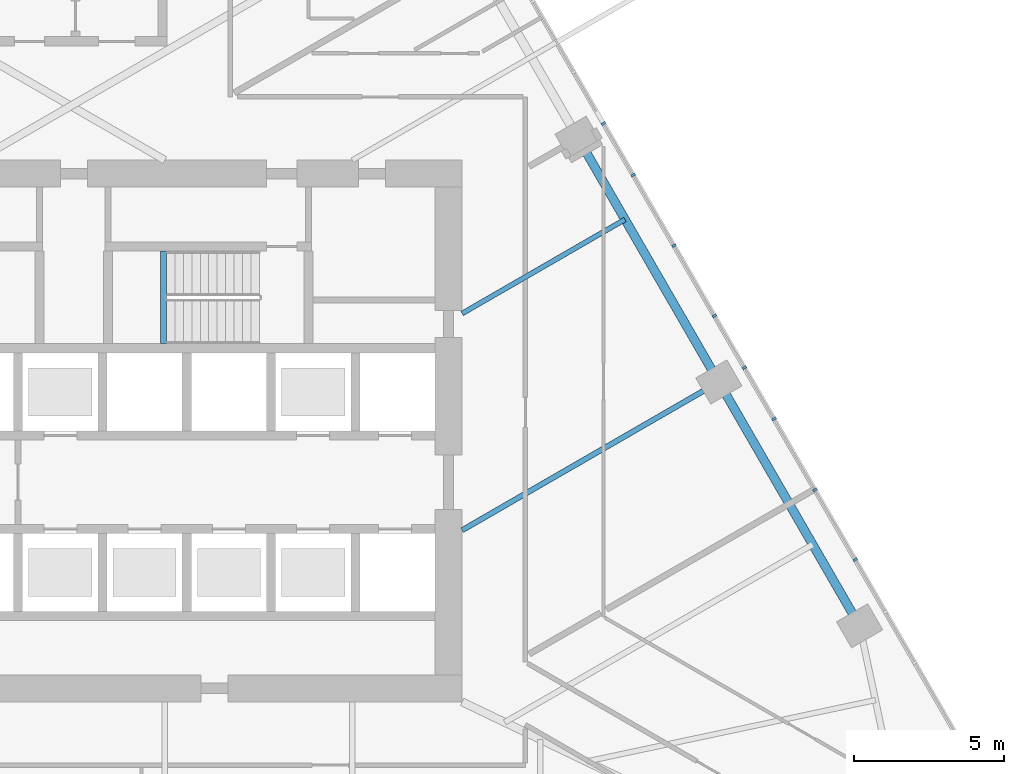
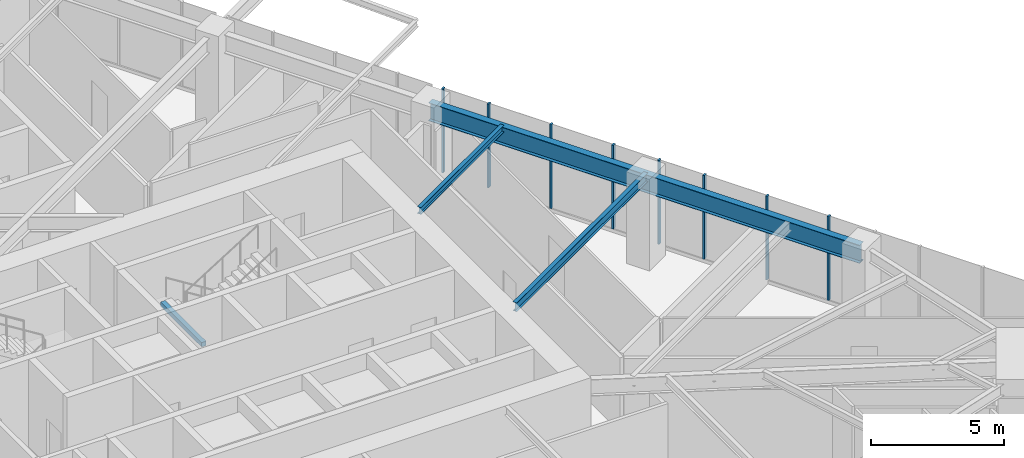
# One storey, part 7 of 22: 8 members, 4 beams, 1 element without a shape of its own.
"""IFC4 building model written with IfcOpenShell, lengths in metres."""

from ifc_helpers import new_model, si_unit, direction, frame, origin, origin_2d, place, context, subcontext, project, spatial, rectangle, i_section, extrude, material, layer, layer_set, material_profile, profile_set, type_object, element, aggregate, save


model = new_model("IFC4")

# Units and contexts
model_context = context("Model", 3, precision=1e-05, world=origin(), true_north=direction((0.0, 1.0)))
body_context = subcontext(model_context, "Body", "Model", "MODEL_VIEW")
ifc_project = project(units=[si_unit("LENGTHUNIT", "METRE"), si_unit("AREAUNIT", "SQUARE_METRE"), si_unit("VOLUMEUNIT", "CUBIC_METRE"), si_unit("PLANEANGLEUNIT", "RADIAN"), si_unit("MASSUNIT", "GRAM", prefix="KILO")], contexts=[model_context])

# Site, building, storey
site_placement = place(None, origin())
site = spatial("IfcSite", under=ifc_project, at=site_placement, CompositionType="ELEMENT")
building_placement = place(site_placement, origin())
building = spatial("IfcBuilding", under=site, at=building_placement, Name="Firuza Gate Tower and Library", CompositionType="ELEMENT")
storey_placement = place(building_placement, frame((0.0, 0.0, 111.39990234375)))
storey = spatial("IfcBuildingStorey", under=building, at=storey_placement, Name="L25", CompositionType="ELEMENT", Elevation=111.39990234375)

# Curtain wall, members
ifc_material_1 = material(Name="Aluminium 6063-T6", Category="aluminium")
ifc_layer = layer(ifc_material_1, 0.14990234375)
ifc_layer_set = layer_set([ifc_layer], Name="Unitised curtain wall, offices")
curtain_wall_type = type_object("IfcCurtainWallType", Name="Unitised curtain wall, offices", PredefinedType="NOTDEFINED", material=ifc_layer_set)
curtain_wall_placement = place(storey_placement, origin())
curtain_wall = element("IfcCurtainWall", 1, at=curtain_wall_placement, inside=storey, type_object=curtain_wall_type, Name="CW1 L25 E face", PredefinedType="NOTDEFINED")
ifc_material_2 = material(Name="Aluminium 6063-T6", Category="aluminium")
ifc_material_profile_1 = material_profile(ifc_material_2, rectangle(XDim=0.14990234375, YDim=0.080078125, at=origin_2d()))
ifc_profile_set_1 = profile_set([ifc_material_profile_1], Name="Aluminium 6063-T6")
member_type = type_object("IfcMemberType", Name="Curtain wall mullion 80x150", PredefinedType="MULLION", material=ifc_profile_set_1)
member_1_placement = place(storey_placement, frame((99.72265625, 73.046630859375, 0.150146484375), z_axis=(0.0, 0.0, 1.0), x_axis=(-0.866025403784, -0.5, 0.0)))
member_1 = element("IfcMember", 2, at=member_1_placement, type_object=member_type, Name="Mullion", PredefinedType="MULLION", context=body_context, shape_type="SweptSolid", body=[
    extrude(rectangle(XDim=0.14990234375, YDim=0.080078125, at=origin_2d()), origin(), (0.0, 0.0, 1.0), 3.849853515625),
])
member_2_placement = place(storey_placement, frame((97.380615234375, 77.103515625, 0.150146484375), z_axis=(0.0, 0.0, 1.0), x_axis=(-0.866025403784, -0.5, 0.0)))
member_2 = element("IfcMember", 3, at=member_2_placement, type_object=member_type, Name="Mullion", PredefinedType="MULLION", context=body_context, shape_type="SweptSolid", body=[
    extrude(rectangle(XDim=0.14990234375, YDim=0.080078125, at=origin_2d()), origin(), (0.0, 0.0, 1.0), 3.849853515625),
])
member_3_placement = place(storey_placement, frame((95.038330078125, 81.16015625, 0.150146484375), z_axis=(0.0, 0.0, 1.0), x_axis=(-0.866025403784, -0.5, 0.0)))
member_3 = element("IfcMember", 4, at=member_3_placement, type_object=member_type, Name="Mullion", PredefinedType="MULLION", context=body_context, shape_type="SweptSolid", body=[
    extrude(rectangle(XDim=0.14990234375, YDim=0.080078125, at=origin_2d()), origin(), (0.0, 0.0, 1.0), 3.849853515625),
])
member_4_placement = place(storey_placement, frame((92.6962890625, 85.217041015625, 0.150146484375), z_axis=(0.0, 0.0, 1.0), x_axis=(-0.866025403784, -0.5, 0.0)))
member_4 = element("IfcMember", 5, at=member_4_placement, type_object=member_type, Name="Mullion", PredefinedType="MULLION", context=body_context, shape_type="SweptSolid", body=[
    extrude(rectangle(XDim=0.14990234375, YDim=0.080078125, at=origin_2d()), origin(), (0.0, 0.0, 1.0), 3.849853515625),
])
member_5_placement = place(storey_placement, frame((101.062255859375, 70.7265625, 0.150146484375), z_axis=(0.0, 0.0, 1.0), x_axis=(-0.866025403784, -0.5, 0.0)))
member_5 = element("IfcMember", 6, at=member_5_placement, type_object=member_type, Name="Mullion", PredefinedType="MULLION", context=body_context, shape_type="SweptSolid", body=[
    extrude(rectangle(XDim=0.14990234375, YDim=0.080078125, at=origin_2d()), origin(), (0.0, 0.0, 1.0), 3.849853515625),
])
member_6_placement = place(storey_placement, frame((98.361572265625, 75.404296875, 0.150146484375), z_axis=(0.0, 0.0, 1.0), x_axis=(-0.866025403784, -0.5, 0.0)))
member_6 = element("IfcMember", 7, at=member_6_placement, type_object=member_type, Name="Mullion", PredefinedType="MULLION", context=body_context, shape_type="SweptSolid", body=[
    extrude(rectangle(XDim=0.14990234375, YDim=0.080078125, at=origin_2d()), origin(), (0.0, 0.0, 1.0), 3.849853515625),
])
member_7_placement = place(storey_placement, frame((96.38525390625, 78.82763671875, 0.150146484375), z_axis=(0.0, 0.0, 1.0), x_axis=(-0.866025403784, -0.5, 0.0)))
member_7 = element("IfcMember", 8, at=member_7_placement, type_object=member_type, Name="Mullion", PredefinedType="MULLION", context=body_context, shape_type="SweptSolid", body=[
    extrude(rectangle(XDim=0.14990234375, YDim=0.080078125, at=origin_2d()), origin(), (0.0, 0.0, 1.0), 3.849853515625),
])
member_8_placement = place(storey_placement, frame((93.6845703125, 83.50537109375, 0.150146484375), z_axis=(0.0, 0.0, 1.0), x_axis=(-0.866025403784, -0.5, 0.0)))
member_8 = element("IfcMember", 9, at=member_8_placement, type_object=member_type, Name="Mullion", PredefinedType="MULLION", context=body_context, shape_type="SweptSolid", body=[
    extrude(rectangle(XDim=0.14990234375, YDim=0.080078125, at=origin_2d()), origin(), (0.0, 0.0, 1.0), 3.849853515625),
])
aggregate(curtain_wall, [member_1, member_2, member_3, member_4, member_5, member_6, member_7, member_8])

# Beams
ifc_material_3 = material(Name="Concrete C35/45", Category="concrete")
ifc_material_profile_2 = material_profile(ifc_material_3, rectangle(XDim=0.199951171875, YDim=0.199951171875, at=origin_2d()))
ifc_profile_set_2 = profile_set([ifc_material_profile_2], Name="Concrete C35/45")
beam_type_1 = type_object("IfcBeamType", Name="Stair landing bearer 200x200", PredefinedType="BEAM", material=ifc_profile_set_2)
beam_1_placement = place(storey_placement, frame((78.080078125, 80.97998046875, 1.800048828125), z_axis=(0.0, -1.0, 0.0), x_axis=(1.0, 0.0, 0.0)))
element("IfcBeam", 10, at=beam_1_placement, inside=storey, type_object=beam_type_1, Name="Landing bearer L25 stair 2", PredefinedType="BEAM", context=body_context, shape_type="SweptSolid", body=[
    extrude(rectangle(XDim=0.199951171875, YDim=0.199951171875, at=origin_2d()), origin(), (0.0, 0.0, 1.0), 3.080078125),
])
ifc_material_4 = material(Name="Steel S355", Category="steel")
ifc_material_profile_3 = material_profile(ifc_material_4, i_section(OverallWidth=0.1650390625, OverallDepth=0.31005859375, WebThickness=0.005859375, FlangeThickness=0.009765625, at=origin_2d()))
ifc_profile_set_3 = profile_set([ifc_material_profile_3], Name="Steel S355")
beam_type_2 = type_object("IfcBeamType", Name="W310x39 Floor beam", PredefinedType="JOIST", material=ifc_profile_set_3)
beam_2_placement = place(storey_placement, frame((93.410888671875, 82.029052734375, 3.84521484375), z_axis=(-0.866022256913, -0.500005450501, 0.0), x_axis=(0.500005450501, -0.866022256913, 0.0)))
element("IfcBeam", 11, at=beam_2_placement, inside=storey, type_object=beam_type_2, Name="Floor beam L25 s52", PredefinedType="JOIST", context=body_context, shape_type="SweptSolid", body=[
    extrude(i_section(OverallWidth=0.1650390625, OverallDepth=0.31005859375, WebThickness=0.005859375, FlangeThickness=0.009765625, at=origin_2d()), origin(), (0.0, 0.0, 1.0), 6.248046875),
])
ifc_material_5 = material(Name="Steel S355", Category="steel")
ifc_material_profile_4 = material_profile(ifc_material_5, i_section(OverallWidth=0.177978515625, OverallDepth=0.406982421875, WebThickness=0.0078125, FlangeThickness=0.0126953125, at=origin_2d()))
ifc_profile_set_4 = profile_set([ifc_material_profile_4], Name="Steel S355")
beam_type_3 = type_object("IfcBeamType", Name="W410x60 Floor beam", PredefinedType="JOIST", material=ifc_profile_set_4)
beam_3_placement = place(storey_placement, frame((96.529052734375, 76.62841796875, 3.796630859375), z_axis=(-0.866033257486, -0.499986396743, 0.0), x_axis=(0.499986396743, -0.866033257486, 0.0)))
element("IfcBeam", 12, at=beam_3_placement, inside=storey, type_object=beam_type_3, Name="Floor beam L25 s51", PredefinedType="JOIST", context=body_context, shape_type="SweptSolid", body=[
    extrude(i_section(OverallWidth=0.177978515625, OverallDepth=0.406982421875, WebThickness=0.0078125, FlangeThickness=0.0126953125, at=origin_2d()), origin(), (0.0, 0.0, 1.0), 9.848388671875),
])
ifc_material_6 = material(Name="Steel S355", Category="steel")
ifc_material_profile_5 = material_profile(ifc_material_6, i_section(OverallWidth=0.2919921875, OverallDepth=0.8349609375, WebThickness=0.013916015625, FlangeThickness=0.018798828125, at=origin_2d()))
ifc_profile_set_5 = profile_set([ifc_material_profile_5], Name="Steel S355")
beam_type_4 = type_object("IfcBeamType", Name="W840x176 Edge beam", PredefinedType="SPANDREL", material=ifc_profile_set_5)
beam_4_placement = place(storey_placement, frame((101.2060546875, 68.527587890625, 3.58251953125), z_axis=(-0.50000297619, 0.866023685473, 0.0), x_axis=(-0.866023685473, -0.50000297619, 0.0)))
element("IfcBeam", 13, at=beam_4_placement, inside=storey, type_object=beam_type_4, Name="Edge beam L25 e50", PredefinedType="SPANDREL", context=body_context, shape_type="SweptSolid", body=[
    extrude(i_section(OverallWidth=0.2919921875, OverallDepth=0.8349609375, WebThickness=0.013916015625, FlangeThickness=0.018798828125, at=origin_2d()), origin(), (0.0, 0.0, 1.0), 18.70849609375),
])

save(model, "model.ifc")
